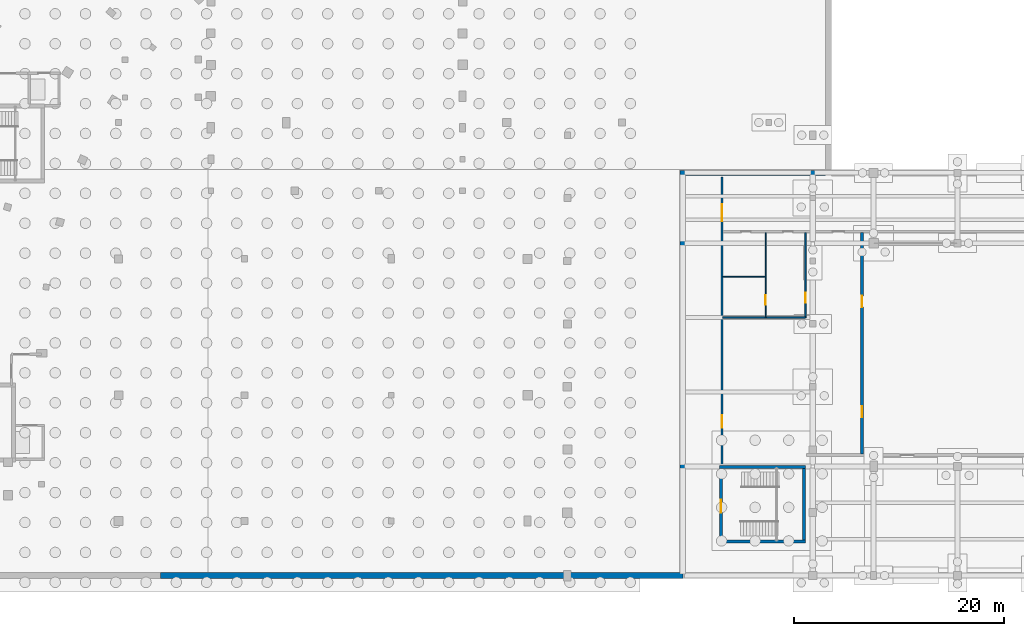
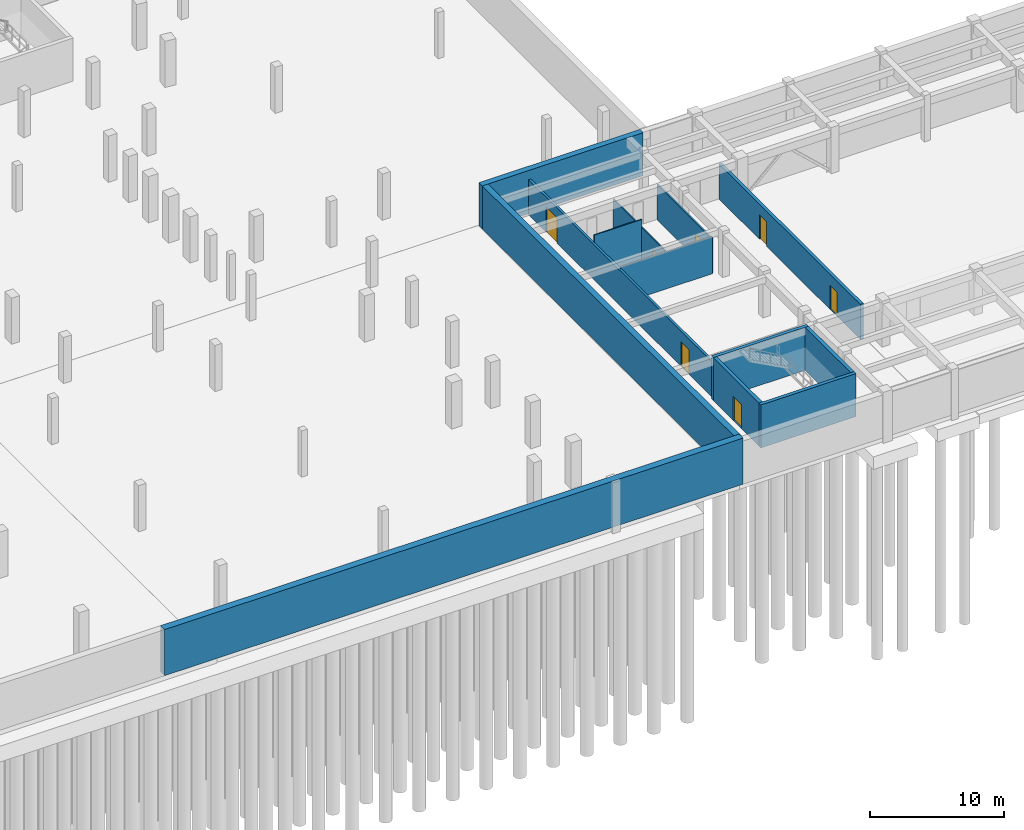
# One storey, part 25 of 36: 13 walls, 7 doors, 7 openings.
"""IFC4 building model written with IfcOpenShell, lengths in metres."""

from ifc_helpers import new_model, si_unit, direction, frame, frame_2d, origin, place, context, subcontext, project, spatial, rectangle, extrude, material, layer, layer_set, type_object, element, fill, save


model = new_model("IFC4")

# Units and contexts
model_context = context("Model", 3, precision=1e-05, world=origin(), true_north=direction((0.0, 1.0)))
body_context = subcontext(model_context, "Body", "Model", "MODEL_VIEW")
ifc_project = project(units=[si_unit("LENGTHUNIT", "METRE"), si_unit("AREAUNIT", "SQUARE_METRE"), si_unit("VOLUMEUNIT", "CUBIC_METRE"), si_unit("PLANEANGLEUNIT", "RADIAN"), si_unit("MASSUNIT", "GRAM", prefix="KILO"), si_unit("THERMODYNAMICTEMPERATUREUNIT", "KELVIN"), si_unit("POWERUNIT", "WATT")], contexts=[model_context])

# Site, building, storey
site_placement = place(None, origin())
site = spatial("IfcSite", under=ifc_project, at=site_placement, CompositionType="ELEMENT")
building_placement = place(site_placement, origin())
building = spatial("IfcBuilding", under=site, at=building_placement, Name="Solvatero Civic Police Headquarters", CompositionType="ELEMENT")
storey_placement = place(building_placement, frame((0.0, 0.0, -8.39990234375)))
storey = spatial("IfcBuildingStorey", under=building, at=storey_placement, Name="B02", CompositionType="ELEMENT", Elevation=-8.39990234375)

# Wall
ifc_material_1 = material(Name="Gypsum Acoustic Stud", Category="gypsum")
ifc_layer_1 = layer(ifc_material_1, 0.10009765625)
ifc_layer_set_1 = layer_set([ifc_layer_1], Name="Gypsum Acoustic Stud")
wall_type_1 = type_object("IfcWallType", Name="WL-PTN-100", PredefinedType="PARTITIONING", material=ifc_layer_set_1)
wall_1_placement = place(storey_placement, frame((113.60009765625, 33.300048828125, 0.0), z_axis=(0.0, 0.0, 1.0), x_axis=(1.0, 0.0, 0.0)))
element("IfcWall", 1, at=wall_1_placement, inside=storey, type_object=wall_type_1, Name="Interior Partition WLP-B02-WC-M", PredefinedType="PARTITIONING", context=body_context, shape_type="SweptSolid", body=[
    extrude(rectangle(XDim=4.099853515625, YDim=0.10009765625, at=frame_2d((2.0498046875, 0.0))), origin(), (0.0, 0.0, 1.0), 3.89990234375),
])

# Wall, opening, door
wall_2_placement = place(storey_placement, frame((117.699951171875, 29.39990234375, 0.0), z_axis=(0.0, 0.0, 1.0), x_axis=(0.0, 1.0, 0.0)))
wall_2 = element("IfcWall", 2, at=wall_2_placement, inside=storey, type_object=wall_type_1, Name="Interior Partition WLP-B02-WCA-E", PredefinedType="PARTITIONING", context=body_context, shape_type="SweptSolid", body=[
    extrude(rectangle(XDim=8.10009765625, YDim=0.10009765625, at=frame_2d((4.050048828125, 0.0))), origin(), (0.0, 0.0, 1.0), 3.2080078125),
])
opening_1_placement = place(wall_2_placement, frame((1.199951171875, 0.0, 0.0)))
opening_1 = element("IfcOpeningElement", 3, at=opening_1_placement, cuts=wall_2, Name="Opening ID-04", PredefinedType="OPENING", context=body_context, shape_type="SweptSolid", body=[
    extrude(rectangle(XDim=0.949951171875, YDim=2.14990234375, at=frame_2d((0.47509765625, 1.074951171875))), frame((0.0, 0.06005859375, 0.0), z_axis=(0.0, -1.0, 0.0), x_axis=(1.0, 0.0, 0.0)), (0.0, 0.0, 1.0), 0.1201171875),
])
ifc_material_2 = material(Name="Acoustic Oak Timber Veneer", Category="wood")
door_type_1 = type_object("IfcDoorType", Name="DR-ACC-095x215", OperationType="NOTDEFINED", PredefinedType="DOOR", material=ifc_material_2)
door_1_placement = place(opening_1_placement, origin())
door_1 = element("IfcDoor", 4, at=door_1_placement, inside=storey, type_object=door_type_1, Name="Interior Door DR-B02-WCA-IN", OperationType="SINGLE_SWING_LEFT", OverallHeight=2.14990234375, OverallWidth=0.949951171875, PredefinedType="DOOR", context=body_context, shape_type="SweptSolid", body=[
    extrude(rectangle(XDim=0.949951171875, YDim=2.14990234375, at=frame_2d((0.47509765625, 1.074951171875))), frame((0.0, 0.02490234375, 0.0), z_axis=(0.0, -1.0, 0.0), x_axis=(1.0, 0.0, 0.0)), (0.0, 0.0, 1.0), 0.050048828125),
])
fill(opening_1, door_1)

ifc_material_3 = material(Name="Gypsum Double-Stud", Category="gypsum")
ifc_layer_2 = layer(ifc_material_3, 0.135009765625)
ifc_layer_set_2 = layer_set([ifc_layer_2], Name="Gypsum Double-Stud")
wall_type_2 = type_object("IfcWallType", Name="WL-PTN-135", PredefinedType="PARTITIONING", material=ifc_layer_set_2)
wall_3_placement = place(storey_placement, frame((121.5, 29.39990234375, 0.0), z_axis=(0.0, 0.0, 1.0), x_axis=(0.0, 1.0, 0.0)))
wall_3 = element("IfcWall", 5, at=wall_3_placement, inside=storey, type_object=wall_type_2, Name="Interior Partition WLP-B02-WCE", PredefinedType="PARTITIONING", context=body_context, shape_type="SweptSolid", body=[
    extrude(rectangle(XDim=8.10009765625, YDim=0.135009765625, at=frame_2d((4.050048828125, 0.0))), origin(), (0.0, 0.0, 1.0), 3.2080078125),
])
opening_2_placement = place(wall_3_placement, frame((1.39990234375, 0.0, 0.0)))
opening_2 = element("IfcOpeningElement", 6, at=opening_2_placement, cuts=wall_3, Name="Opening ID-04", PredefinedType="OPENING", context=body_context, shape_type="SweptSolid", body=[
    extrude(rectangle(XDim=0.949951171875, YDim=2.14990234375, at=frame_2d((0.47509765625, 1.074951171875))), frame((0.0, 0.077392578125, 0.0), z_axis=(0.0, -1.0, 0.0), x_axis=(1.0, 0.0, 0.0)), (0.0, 0.0, 1.0), 0.155029296875),
])
door_2_placement = place(opening_2_placement, origin())
door_2 = element("IfcDoor", 7, at=door_2_placement, inside=storey, type_object=door_type_1, Name="Interior Door DR-B02-WCA", OperationType="SINGLE_SWING_RIGHT", OverallHeight=2.14990234375, OverallWidth=0.949951171875, PredefinedType="DOOR", context=body_context, shape_type="SweptSolid", body=[
    extrude(rectangle(XDim=0.949951171875, YDim=2.14990234375, at=frame_2d((0.47509765625, 1.074951171875))), frame((0.0, 0.02490234375, 0.0), z_axis=(0.0, -1.0, 0.0), x_axis=(1.0, 0.0, 0.0)), (0.0, 0.0, 1.0), 0.050048828125),
])
fill(opening_2, door_2)

# Wall
wall_4_placement = place(storey_placement, frame((113.60009765625, 29.39990234375, 0.0), z_axis=(0.0, 0.0, 1.0), x_axis=(1.0, 0.0, 0.0)))
element("IfcWall", 8, at=wall_4_placement, inside=storey, type_object=wall_type_2, Name="Interior Partition WLP-B02-WC-S", PredefinedType="PARTITIONING", context=body_context, shape_type="SweptSolid", body=[
    extrude(rectangle(XDim=7.89990234375, YDim=0.135009765625, at=frame_2d((3.949951171875, 0.0))), origin(), (0.0, 0.0, 1.0), 3.35986328125),
])

# Wall, openings, doors
ifc_material_4 = material(Name="Concrete Blockwork", Category="masonry")
ifc_layer_3 = layer(ifc_material_4, 0.199951171875)
ifc_layer_set_3 = layer_set([ifc_layer_3], Name="Concrete Blockwork")
wall_type_3 = type_object("IfcWallType", Name="WL-PTN-200", PredefinedType="PARTITIONING", material=ifc_layer_set_3)
wall_5_placement = place(storey_placement, frame((113.550048828125, 15.39990234375, 0.0), z_axis=(0.0, 0.0, 1.0), x_axis=(0.0, 1.0, 0.0)))
wall_5 = element("IfcWall", 9, at=wall_5_placement, inside=storey, type_object=wall_type_3, Name="Interior Partition WLP-B02-C5LOB-E", PredefinedType="PARTITIONING", context=body_context, shape_type="SweptSolid", body=[
    extrude(rectangle(XDim=27.400146484375, YDim=0.199951171875, at=frame_2d((13.7001953125, 0.0))), origin(), (0.0, 0.0, 1.0), 3.2080078125),
])
opening_3_placement = place(wall_5_placement, frame((23.199951171875, 0.0, 0.0)))
opening_3 = element("IfcOpeningElement", 10, at=opening_3_placement, cuts=wall_5, Name="Opening ID-15", PredefinedType="OPENING", context=body_context, shape_type="SweptSolid", body=[
    extrude(rectangle(XDim=1.60009765625, YDim=2.300048828125, at=frame_2d((0.800048828125, 1.14990234375))), frame((0.0, 0.10986328125, 0.0), z_axis=(0.0, -1.0, 0.0), x_axis=(1.0, 0.0, 0.0)), (0.0, 0.0, 1.0), 0.219970703125),
])
opening_4_placement = place(wall_5_placement, frame((3.5, 0.0, 0.0)))
opening_4 = element("IfcOpeningElement", 11, at=opening_4_placement, cuts=wall_5, Name="Opening ID-11", PredefinedType="OPENING", context=body_context, shape_type="SweptSolid", body=[
    extrude(rectangle(XDim=1.179931640625, YDim=2.239990234375, at=frame_2d((0.58984375, 1.1201171875))), frame((0.0, 0.10986328125, 0.0), z_axis=(0.0, -1.0, 0.0), x_axis=(1.0, 0.0, 0.0)), (0.0, 0.0, 1.0), 0.219970703125),
])
ifc_material_5 = material(Name="Powder-Coated Steel", Category="steel")
door_type_2 = type_object("IfcDoorType", Name="DR-COR-118x224", OperationType="NOTDEFINED", PredefinedType="DOOR", material=ifc_material_5)
door_3_placement = place(opening_4_placement, origin())
door_3 = element("IfcDoor", 12, at=door_3_placement, inside=storey, type_object=door_type_2, Name="Interior Door DR-B02-C5-RNG", OperationType="SINGLE_SWING_LEFT", OverallHeight=2.239990234375, OverallWidth=1.179931640625, PredefinedType="DOOR", context=body_context, shape_type="SweptSolid", body=[
    extrude(rectangle(XDim=1.179931640625, YDim=2.239990234375, at=frame_2d((0.58984375, 1.1201171875))), frame((0.0, 0.02490234375, 0.0), z_axis=(0.0, -1.0, 0.0), x_axis=(1.0, 0.0, 0.0)), (0.0, 0.0, 1.0), 0.050048828125),
])
fill(opening_4, door_3)
door_type_3 = type_object("IfcDoorType", Name="DR-DBL-160x230", OperationType="NOTDEFINED", PredefinedType="DOOR", material=ifc_material_5)
door_4_placement = place(opening_3_placement, origin())
door_4 = element("IfcDoor", 13, at=door_4_placement, inside=storey, type_object=door_type_3, Name="Interior Door DR-B02-C5-CORR", OperationType="DOUBLE_DOOR_SINGLE_SWING", OverallHeight=2.300048828125, OverallWidth=1.60009765625, PredefinedType="DOOR", context=body_context, shape_type="SweptSolid", body=[
    extrude(rectangle(XDim=1.60009765625, YDim=2.300048828125, at=frame_2d((0.800048828125, 1.14990234375))), frame((0.0, 0.02490234375, 0.0), z_axis=(0.0, -1.0, 0.0), x_axis=(1.0, 0.0, 0.0)), (0.0, 0.0, 1.0), 0.050048828125),
])
fill(opening_3, door_4)

# Walls
ifc_material_6 = material(Name="Concrete C35/45", Category="concrete")
ifc_layer_4 = layer(ifc_material_6, 0.5)
ifc_layer_set_4 = layer_set([ifc_layer_4], Name="Concrete C35/45")
wall_type_4 = type_object("IfcWallType", Name="WL-RET-500", PredefinedType="USERDEFINED", material=ifc_layer_set_4)
wall_6_placement = place(storey_placement, frame((109.800048828125, 5.10009765625, 0.0), z_axis=(0.0, 0.0, 1.0), x_axis=(0.0, 1.0, 0.0)))
element("IfcWall", 14, at=wall_6_placement, inside=storey, type_object=wall_type_4, Name="B02 Watertight Tanked Retaining Wall RW-INT-EW", ObjectType="RETAINING WALL", PredefinedType="USERDEFINED", context=body_context, shape_type="SweptSolid", body=[
    extrude(rectangle(XDim=37.849853515625, YDim=0.5, at=frame_2d((18.9248046875, 0.0))), origin(), (0.0, 0.0, 1.0), 3.919921875),
])
wall_7_placement = place(storey_placement, frame((109.550048828125, 43.199951171875, 0.0), z_axis=(0.0, 0.0, 1.0), x_axis=(1.0, 0.0, 0.0)))
element("IfcWall", 15, at=wall_7_placement, inside=storey, type_object=wall_type_4, Name="B02 Watertight Tanked Retaining Wall RW-INT-EN", ObjectType="RETAINING WALL", PredefinedType="USERDEFINED", context=body_context, shape_type="SweptSolid", body=[
    extrude(rectangle(XDim=13.849853515625, YDim=0.5, at=frame_2d((6.9248046875, 0.0))), origin(), (0.0, 0.0, 1.0), 3.919921875),
])
ifc_layer_5 = layer(ifc_material_6, 0.60009765625)
ifc_layer_set_5 = layer_set([ifc_layer_5], Name="Concrete C35/45")
wall_type_5 = type_object("IfcWallType", Name="WL-RET-600", PredefinedType="USERDEFINED", material=ifc_layer_set_5)
wall_8_placement = place(storey_placement, frame((60.0, 4.800048828125, 0.0), z_axis=(0.0, 0.0, 1.0), x_axis=(1.0, 0.0, 0.0)))
element("IfcWall", 16, at=wall_8_placement, inside=storey, type_object=wall_type_5, Name="B02 Watertight Tanked Retaining Wall RW-PERIM-S2", ObjectType="RETAINING WALL", PredefinedType="USERDEFINED", context=body_context, shape_type="SweptSolid", body=[
    extrude(rectangle(XDim=49.800048828125, YDim=0.60009765625, at=frame_2d((24.89990234375, 0.0))), origin(), (0.0, 0.0, 1.0), 4.199951171875),
])
ifc_material_7 = material(Name="Concrete C40/50", Category="concrete")
ifc_layer_6 = layer(ifc_material_7, 0.300048828125)
ifc_layer_set_6 = layer_set([ifc_layer_6], Name="Concrete C40/50")
wall_type_6 = type_object("IfcWallType", Name="WL-SHR-300", PredefinedType="SHEAR", material=ifc_layer_set_6)
for number, where, z_axis, x_axis, name in (
    (17, (113.300048828125, 8.050048828125, 0.0), (0.0, 0.0, 1.0), (1.0, 0.0, 0.0), "Core C5 Shear Wall S B02"),
    (18, (113.300048828125, 15.14990234375, 0.0), (0.0, 0.0, 1.0), (1.0, 0.0, 0.0), "Core C5 Shear Wall N B02"),
):
    element("IfcWall", number, at=place(storey_placement, frame(where, z_axis=z_axis, x_axis=x_axis)), inside=storey, type_object=wall_type_6, Name=name, PredefinedType="SHEAR", context=body_context, shape_type="SweptSolid", body=[
        extrude(rectangle(XDim=8.199951171875, YDim=0.300048828125, at=frame_2d((4.10009765625, 0.0))), origin(), (0.0, 0.0, 1.0), 3.919921875),
    ])

# Wall, opening, door
wall_9_placement = place(storey_placement, frame((113.449951171875, 8.199951171875, 0.0), z_axis=(0.0, 0.0, 1.0), x_axis=(0.0, 1.0, 0.0)))
wall_9 = element("IfcWall", 19, at=wall_9_placement, inside=storey, type_object=wall_type_6, Name="Core C5 Shear Wall W B02", PredefinedType="SHEAR", context=body_context, shape_type="SweptSolid", body=[
    extrude(rectangle(XDim=6.800048828125, YDim=0.300048828125, at=frame_2d((3.39990234375, 0.0))), origin(), (0.0, 0.0, 1.0), 3.919921875),
])
opening_5_placement = place(wall_9_placement, frame((2.60009765625, 0.0, 0.0)))
opening_5 = element("IfcOpeningElement", 20, at=opening_5_placement, cuts=wall_9, Name="Opening FD-01", PredefinedType="OPENING", context=body_context, shape_type="SweptSolid", body=[
    extrude(rectangle(XDim=1.25, YDim=2.199951171875, at=frame_2d((0.625, 1.10009765625))), frame((0.0, 0.159912109375, 0.0), z_axis=(0.0, -1.0, 0.0), x_axis=(1.0, 0.0, 0.0)), (0.0, 0.0, 1.0), 0.320068359375),
])
door_type_4 = type_object("IfcDoorType", Name="DR-STR-125x220", OperationType="NOTDEFINED", PredefinedType="DOOR", material=ifc_material_5)
door_5_placement = place(opening_5_placement, origin())
door_5 = element("IfcDoor", 21, at=door_5_placement, inside=storey, type_object=door_type_4, Name="Interior Door DR-STR-C5-B02", OperationType="SINGLE_SWING_LEFT", OverallHeight=2.199951171875, OverallWidth=1.25, PredefinedType="DOOR", context=body_context, shape_type="SweptSolid", body=[
    extrude(rectangle(XDim=1.25, YDim=2.199951171875, at=frame_2d((0.625, 1.10009765625))), frame((0.0, 0.02490234375, 0.0), z_axis=(0.0, -1.0, 0.0), x_axis=(1.0, 0.0, 0.0)), (0.0, 0.0, 1.0), 0.050048828125),
])
fill(opening_5, door_5)

# Wall
wall_10_placement = place(storey_placement, frame((121.35009765625, 8.199951171875, 0.0), z_axis=(0.0, 0.0, 1.0), x_axis=(0.0, 1.0, 0.0)))
element("IfcWall", 22, at=wall_10_placement, inside=storey, type_object=wall_type_6, Name="Core C5 Shear Wall E B02", PredefinedType="SHEAR", context=body_context, shape_type="SweptSolid", body=[
    extrude(rectangle(XDim=6.800048828125, YDim=0.300048828125, at=frame_2d((3.39990234375, 0.0))), origin(), (0.0, 0.0, 1.0), 3.919921875),
])

# Wall, openings, doors
ifc_layer_7 = layer(ifc_material_6, 0.260009765625)
ifc_layer_set_7 = layer_set([ifc_layer_7], Name="Concrete C35/45")
wall_type_7 = type_object("IfcWallType", Name="WL-VAULT-260", PredefinedType="PARTITIONING", material=ifc_layer_set_7)
wall_11_placement = place(storey_placement, frame((126.89990234375, 16.39990234375, 0.0), z_axis=(0.0, 0.0, 1.0), x_axis=(0.0, 1.0, 0.0)))
wall_11 = element("IfcWall", 23, at=wall_11_placement, inside=storey, type_object=wall_type_7, Name="Interior Partition WLP-B02-RNG-W", PredefinedType="PARTITIONING", context=body_context, shape_type="SweptSolid", body=[
    extrude(rectangle(XDim=21.10009765625, YDim=0.260009765625, at=frame_2d((10.550048828125, 0.0))), origin(), (0.0, 0.0, 1.0), 3.2080078125),
])
opening_6_placement = place(wall_11_placement, frame((3.5, 0.0, 0.0)))
opening_6 = element("IfcOpeningElement", 24, at=opening_6_placement, cuts=wall_11, Name="Opening ID-07", PredefinedType="OPENING", context=body_context, shape_type="SweptSolid", body=[
    extrude(rectangle(XDim=1.050048828125, YDim=2.199951171875, at=frame_2d((0.52490234375, 1.10009765625))), frame((0.0, 0.139892578125, 0.0), z_axis=(0.0, -1.0, 0.0), x_axis=(1.0, 0.0, 0.0)), (0.0, 0.0, 1.0), 0.280029296875),
])
opening_7_placement = place(wall_11_placement, frame((14.0, 0.0, 0.0)))
opening_7 = element("IfcOpeningElement", 25, at=opening_7_placement, cuts=wall_11, Name="Opening ID-08", PredefinedType="OPENING", context=body_context, shape_type="SweptSolid", body=[
    extrude(rectangle(XDim=1.080078125, YDim=2.219970703125, at=frame_2d((0.5400390625, 1.10986328125))), frame((0.0, 0.139892578125, 0.0), z_axis=(0.0, -1.0, 0.0), x_axis=(1.0, 0.0, 0.0)), (0.0, 0.0, 1.0), 0.280029296875),
])
door_type_5 = type_object("IfcDoorType", Name="DR-LAB-105x220", OperationType="NOTDEFINED", PredefinedType="DOOR", material=ifc_material_5)
door_6_placement = place(opening_6_placement, origin())
door_6 = element("IfcDoor", 26, at=door_6_placement, inside=storey, type_object=door_type_5, Name="Interior Door DR-B02-RCTRL", OperationType="SINGLE_SWING_RIGHT", OverallHeight=2.199951171875, OverallWidth=1.050048828125, PredefinedType="DOOR", context=body_context, shape_type="SweptSolid", body=[
    extrude(rectangle(XDim=1.050048828125, YDim=2.199951171875, at=frame_2d((0.52490234375, 1.10009765625))), frame((0.0, 0.02490234375, 0.0), z_axis=(0.0, -1.0, 0.0), x_axis=(1.0, 0.0, 0.0)), (0.0, 0.0, 1.0), 0.050048828125),
])
fill(opening_6, door_6)
door_type_6 = type_object("IfcDoorType", Name="DR-LAB-108x222", OperationType="NOTDEFINED", PredefinedType="DOOR", material=ifc_material_5)
door_7_placement = place(opening_7_placement, origin())
door_7 = element("IfcDoor", 27, at=door_7_placement, inside=storey, type_object=door_type_6, Name="Interior Door DR-B02-RCLEAN", OperationType="SINGLE_SWING_LEFT", OverallHeight=2.219970703125, OverallWidth=1.080078125, PredefinedType="DOOR", context=body_context, shape_type="SweptSolid", body=[
    extrude(rectangle(XDim=1.080078125, YDim=2.219970703125, at=frame_2d((0.5400390625, 1.10986328125))), frame((0.0, 0.02490234375, 0.0), z_axis=(0.0, -1.0, 0.0), x_axis=(1.0, 0.0, 0.0)), (0.0, 0.0, 1.0), 0.050048828125),
])
fill(opening_7, door_7)

save(model, "model.ifc")
